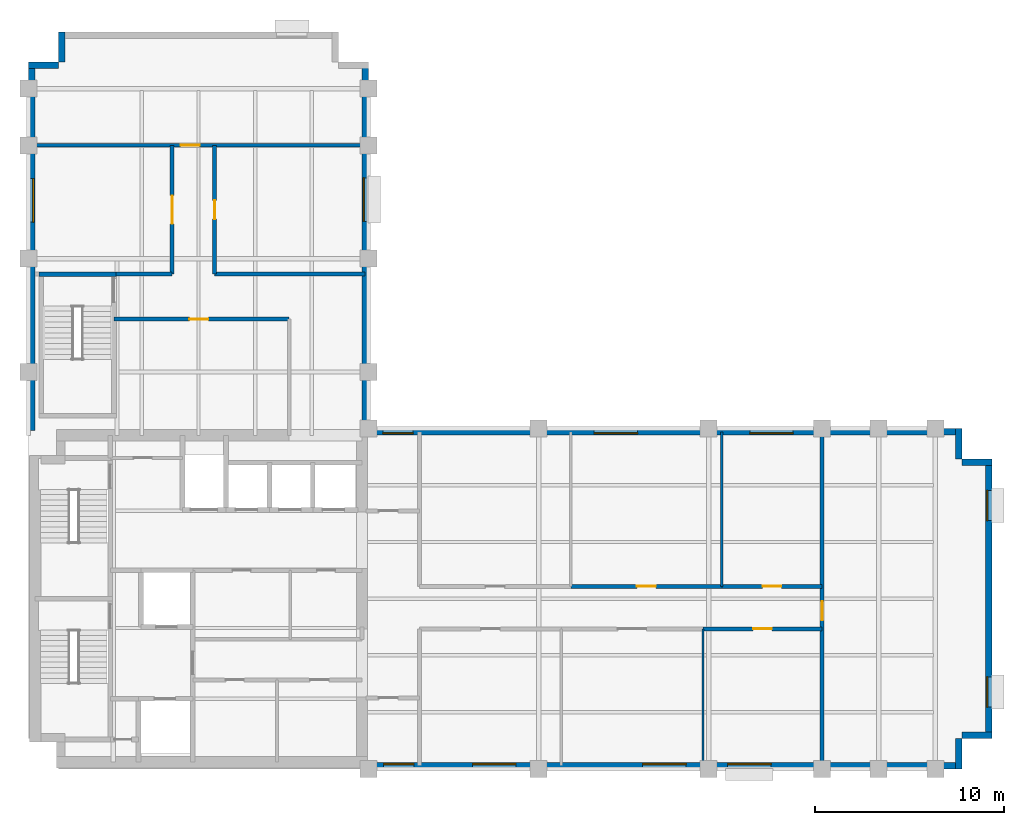
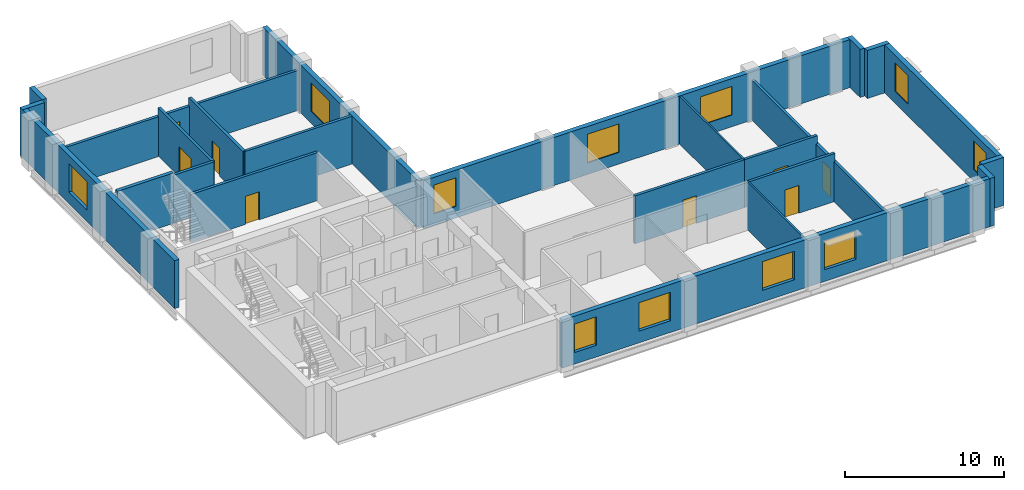
# One storey, part 4 of 6: 24 walls, 11 windows, 8 doors, 19 openings.
"""IFC4 building model written with IfcOpenShell, lengths in metres."""

from ifc_helpers import new_model, si_unit, direction, frame, frame_2d, origin, place, context, subcontext, project, spatial, rectangle, extrude, material, layer, layer_set, type_object, element, fill, save


model = new_model("IFC4")

# Units and contexts
model_context = context("Model", 3, precision=1e-05, world=origin(), true_north=direction((0.0, 1.0)))
body_context = subcontext(model_context, "Body", "Model", "MODEL_VIEW")
ifc_project = project(units=[si_unit("LENGTHUNIT", "METRE"), si_unit("AREAUNIT", "SQUARE_METRE"), si_unit("VOLUMEUNIT", "CUBIC_METRE"), si_unit("PLANEANGLEUNIT", "RADIAN"), si_unit("MASSUNIT", "GRAM", prefix="KILO")], contexts=[model_context])

# Site, building, storey
site_placement = place(None, origin())
site = spatial("IfcSite", under=ifc_project, at=site_placement, CompositionType="ELEMENT")
building_placement = place(site_placement, origin())
building = spatial("IfcBuilding", under=site, at=building_placement, Name="Mawjdan Bourse Tower", CompositionType="ELEMENT")
storey_placement = place(building_placement, frame((0.0, 0.0, 215.10009765625)))
storey = spatial("IfcBuildingStorey", under=building, at=storey_placement, Name="L52", CompositionType="ELEMENT", Elevation=215.10009765625)

# Wall, openings, windows
ifc_material_1 = material(Name="Brick Masonry Buff", Category="masonry")
ifc_layer_1 = layer(ifc_material_1, 0.340087890625)
ifc_layer_set_1 = layer_set([ifc_layer_1], Name="Brick Masonry Buff")
wall_type_1 = type_object("IfcWallType", Name="WL-BRK-SPN-340", PredefinedType="STANDARD", material=ifc_layer_set_1)
wall_1_placement = place(storey_placement, frame((23.89990234375, 3.169921875, 0.0), z_axis=(0.0, 0.0, 1.0), x_axis=(1.0, 0.0, 0.0)))
wall_1 = element("IfcWall", 1, at=wall_1_placement, inside=storey, type_object=wall_type_1, Name="L52 Exterior Brick Wall 1", PredefinedType="STANDARD", context=body_context, shape_type="SweptSolid", body=[
    extrude(rectangle(XDim=31.5, YDim=0.340087890625, at=frame_2d((15.75, 0.0))), origin(), (0.0, 0.0, 1.0), 3.699951171875),
])
opening_1_placement = place(wall_1_placement, frame((5.60009765625, 0.0, 0.89990234375)))
opening_1 = element("IfcOpeningElement", 2, at=opening_1_placement, cuts=wall_1, Name="Opening W-L52-01", PredefinedType="OPENING", context=body_context, shape_type="SweptSolid", body=[
    extrude(rectangle(XDim=2.300048828125, YDim=2.199951171875, at=frame_2d((1.14990234375, 1.10009765625))), frame((0.0, 0.18017578125, 0.0), z_axis=(0.0, -1.0, 0.0), x_axis=(1.0, 0.0, 0.0)), (0.0, 0.0, 1.0), 0.360107421875),
])
opening_2_placement = place(wall_1_placement, frame((14.60009765625, 0.0, 0.89990234375)))
opening_2 = element("IfcOpeningElement", 3, at=opening_2_placement, cuts=wall_1, Name="Opening W-L52-02", PredefinedType="OPENING", context=body_context, shape_type="SweptSolid", body=[
    extrude(rectangle(XDim=2.300048828125, YDim=2.199951171875, at=frame_2d((1.14990234375, 1.10009765625))), frame((0.0, 0.18017578125, 0.0), z_axis=(0.0, -1.0, 0.0), x_axis=(1.0, 0.0, 0.0)), (0.0, 0.0, 1.0), 0.360107421875),
])
opening_3_placement = place(wall_1_placement, frame((19.10009765625, 0.0, 0.89990234375)))
opening_3 = element("IfcOpeningElement", 4, at=opening_3_placement, cuts=wall_1, Name="Opening W-L52-03", PredefinedType="OPENING", context=body_context, shape_type="SweptSolid", body=[
    extrude(rectangle(XDim=2.300048828125, YDim=2.199951171875, at=frame_2d((1.14990234375, 1.10009765625))), frame((0.0, 0.18017578125, 0.0), z_axis=(0.0, -1.0, 0.0), x_axis=(1.0, 0.0, 0.0)), (0.0, 0.0, 1.0), 0.360107421875),
])
opening_4_placement = place(wall_1_placement, frame((0.89990234375, 0.0, 0.89990234375)))
opening_4 = element("IfcOpeningElement", 5, at=opening_4_placement, cuts=wall_1, Name="Opening W-L52-10", PredefinedType="OPENING", context=body_context, shape_type="SweptSolid", body=[
    extrude(rectangle(XDim=1.60009765625, YDim=2.199951171875, at=frame_2d((0.800048828125, 1.10009765625))), frame((0.0, 0.18017578125, 0.0), z_axis=(0.0, -1.0, 0.0), x_axis=(1.0, 0.0, 0.0)), (0.0, 0.0, 1.0), 0.360107421875),
])
ifc_material_2 = material(Name="Solar-Control Clear Double Glazing", Category="glass")
window_type_1 = type_object("IfcWindowType", Name="WN-Z3-1600", PartitioningType="SINGLE_PANEL", PredefinedType="WINDOW", material=ifc_material_2)
window_1_placement = place(opening_4_placement, origin())
window_1 = element("IfcWindow", 6, at=window_1_placement, inside=storey, type_object=window_type_1, Name="L52 Deep-Set Masonry Window W-L52-10", OverallHeight=2.199951171875, OverallWidth=1.60009765625, PartitioningType="SINGLE_PANEL", PredefinedType="WINDOW", context=body_context, shape_type="SweptSolid", body=[
    extrude(rectangle(XDim=1.60009765625, YDim=2.199951171875, at=frame_2d((0.800048828125, 1.10009765625))), frame((0.0, 0.110107421875, 0.0), z_axis=(0.0, -1.0, 0.0), x_axis=(1.0, 0.0, 0.0)), (0.0, 0.0, 1.0), 0.06005859375),
])
fill(opening_4, window_1)
window_type_2 = type_object("IfcWindowType", Name="WN-Z3-2300", PartitioningType="SINGLE_PANEL", PredefinedType="WINDOW", material=ifc_material_2)
window_2_placement = place(opening_1_placement, origin())
window_2 = element("IfcWindow", 7, at=window_2_placement, inside=storey, type_object=window_type_2, Name="L52 Deep-Set Masonry Window W-L52-01", OverallHeight=2.199951171875, OverallWidth=2.300048828125, PartitioningType="SINGLE_PANEL", PredefinedType="WINDOW", context=body_context, shape_type="SweptSolid", body=[
    extrude(rectangle(XDim=2.300048828125, YDim=2.199951171875, at=frame_2d((1.14990234375, 1.10009765625))), frame((0.0, 0.110107421875, 0.0), z_axis=(0.0, -1.0, 0.0), x_axis=(1.0, 0.0, 0.0)), (0.0, 0.0, 1.0), 0.06005859375),
])
fill(opening_1, window_2)
window_3_placement = place(opening_2_placement, origin())
window_3 = element("IfcWindow", 8, at=window_3_placement, inside=storey, type_object=window_type_2, Name="L52 Deep-Set Masonry Window W-L52-02", OverallHeight=2.199951171875, OverallWidth=2.300048828125, PartitioningType="SINGLE_PANEL", PredefinedType="WINDOW", context=body_context, shape_type="SweptSolid", body=[
    extrude(rectangle(XDim=2.300048828125, YDim=2.199951171875, at=frame_2d((1.14990234375, 1.10009765625))), frame((0.0, 0.110107421875, 0.0), z_axis=(0.0, -1.0, 0.0), x_axis=(1.0, 0.0, 0.0)), (0.0, 0.0, 1.0), 0.06005859375),
])
fill(opening_2, window_3)
window_4_placement = place(opening_3_placement, origin())
window_4 = element("IfcWindow", 9, at=window_4_placement, inside=storey, type_object=window_type_2, Name="L52 Deep-Set Masonry Window W-L52-03", OverallHeight=2.199951171875, OverallWidth=2.300048828125, PartitioningType="SINGLE_PANEL", PredefinedType="WINDOW", context=body_context, shape_type="SweptSolid", body=[
    extrude(rectangle(XDim=2.300048828125, YDim=2.199951171875, at=frame_2d((1.14990234375, 1.10009765625))), frame((0.0, 0.110107421875, 0.0), z_axis=(0.0, -1.0, 0.0), x_axis=(1.0, 0.0, 0.0)), (0.0, 0.0, 1.0), 0.06005859375),
])
fill(opening_3, window_4)

# Walls
for number, where, z_axis, x_axis, name in (
    (10, (55.22998046875, 3.0, 0.0), (0.0, 0.0, 1.0), (0.0, 1.0, 0.0), "L52 Exterior Brick Wall 2"),
    (11, (55.39990234375, 4.77001953125, 0.0), (0.0, 0.0, 1.0), (1.0, 0.0, 0.0), "L52 Exterior Brick Wall 3"),
):
    element("IfcWall", number, at=place(storey_placement, frame(where, z_axis=z_axis, x_axis=x_axis)), inside=storey, type_object=wall_type_1, Name=name, PredefinedType="STANDARD", context=body_context, shape_type="SweptSolid", body=[
        extrude(rectangle(XDim=1.60009765625, YDim=0.340087890625, at=frame_2d((0.800048828125, 0.0))), origin(), (0.0, 0.0, 1.0), 3.699951171875),
    ])

# Wall, openings, windows
wall_2_placement = place(storey_placement, frame((56.830078125, 4.60009765625, 0.0), z_axis=(0.0, 0.0, 1.0), x_axis=(0.0, 1.0, 0.0)))
wall_2 = element("IfcWall", 12, at=wall_2_placement, inside=storey, type_object=wall_type_1, Name="L52 Exterior Brick Wall 4", PredefinedType="STANDARD", context=body_context, shape_type="SweptSolid", body=[
    extrude(rectangle(XDim=14.7998046875, YDim=0.340087890625, at=frame_2d((7.39990234375, 0.0))), origin(), (0.0, 0.0, 1.0), 3.699951171875),
])
opening_5_placement = place(wall_2_placement, frame((1.666748046875, 0.0, 0.89990234375)))
opening_5 = element("IfcOpeningElement", 13, at=opening_5_placement, cuts=wall_2, Name="Opening W-L52-04", PredefinedType="OPENING", context=body_context, shape_type="SweptSolid", body=[
    extrude(rectangle(XDim=1.60009765625, YDim=2.199951171875, at=frame_2d((0.800048828125, 1.10009765625))), frame((0.0, 0.18017578125, 0.0), z_axis=(0.0, -1.0, 0.0), x_axis=(1.0, 0.0, 0.0)), (0.0, 0.0, 1.0), 0.360107421875),
])
opening_6_placement = place(wall_2_placement, frame((11.533203125, 0.0, 0.89990234375)))
opening_6 = element("IfcOpeningElement", 14, at=opening_6_placement, cuts=wall_2, Name="Opening W-L52-05", PredefinedType="OPENING", context=body_context, shape_type="SweptSolid", body=[
    extrude(rectangle(XDim=1.60009765625, YDim=2.199951171875, at=frame_2d((0.800048828125, 1.10009765625))), frame((0.0, 0.18017578125, 0.0), z_axis=(0.0, -1.0, 0.0), x_axis=(1.0, 0.0, 0.0)), (0.0, 0.0, 1.0), 0.360107421875),
])
window_5_placement = place(opening_5_placement, origin())
window_5 = element("IfcWindow", 15, at=window_5_placement, inside=storey, type_object=window_type_1, Name="L52 Deep-Set Masonry Window W-L52-04", OverallHeight=2.199951171875, OverallWidth=1.60009765625, PartitioningType="SINGLE_PANEL", PredefinedType="WINDOW", context=body_context, shape_type="SweptSolid", body=[
    extrude(rectangle(XDim=1.60009765625, YDim=2.199951171875, at=frame_2d((0.800048828125, 1.10009765625))), frame((0.0, 0.110107421875, 0.0), z_axis=(0.0, -1.0, 0.0), x_axis=(1.0, 0.0, 0.0)), (0.0, 0.0, 1.0), 0.06005859375),
])
fill(opening_5, window_5)
window_6_placement = place(opening_6_placement, origin())
window_6 = element("IfcWindow", 16, at=window_6_placement, inside=storey, type_object=window_type_1, Name="L52 Deep-Set Masonry Window W-L52-05", OverallHeight=2.199951171875, OverallWidth=1.60009765625, PartitioningType="SINGLE_PANEL", PredefinedType="WINDOW", context=body_context, shape_type="SweptSolid", body=[
    extrude(rectangle(XDim=1.60009765625, YDim=2.199951171875, at=frame_2d((0.800048828125, 1.10009765625))), frame((0.0, 0.110107421875, 0.0), z_axis=(0.0, -1.0, 0.0), x_axis=(1.0, 0.0, 0.0)), (0.0, 0.0, 1.0), 0.06005859375),
])
fill(opening_6, window_6)

# Walls
for number, where, z_axis, x_axis, name in (
    (17, (57.0, 19.22998046875, 0.0), (0.0, 0.0, 1.0), (-1.0, 0.0, 0.0), "L52 Exterior Brick Wall 5"),
    (18, (55.22998046875, 19.39990234375, 0.0), (0.0, 0.0, 1.0), (0.0, 1.0, 0.0), "L52 Exterior Brick Wall 6"),
):
    element("IfcWall", number, at=place(storey_placement, frame(where, z_axis=z_axis, x_axis=x_axis)), inside=storey, type_object=wall_type_1, Name=name, PredefinedType="STANDARD", context=body_context, shape_type="SweptSolid", body=[
        extrude(rectangle(XDim=1.60009765625, YDim=0.340087890625, at=frame_2d((0.800048828125, 0.0))), origin(), (0.0, 0.0, 1.0), 3.699951171875),
    ])

# Wall, openings, windows
wall_3_placement = place(storey_placement, frame((55.39990234375, 20.830078125, 0.0), z_axis=(0.0, 0.0, 1.0), x_axis=(-1.0, 0.0, 0.0)))
wall_3 = element("IfcWall", 19, at=wall_3_placement, inside=storey, type_object=wall_type_1, Name="L52 Exterior Brick Wall 7", PredefinedType="STANDARD", context=body_context, shape_type="SweptSolid", body=[
    extrude(rectangle(XDim=31.39990234375, YDim=0.340087890625, at=frame_2d((15.699951171875, 0.0))), origin(), (0.0, 0.0, 1.0), 3.699951171875),
])
opening_7_placement = place(wall_3_placement, frame((17.166748046875, 0.0, 0.89990234375)))
opening_7 = element("IfcOpeningElement", 20, at=opening_7_placement, cuts=wall_3, Name="Opening W-L52-06", PredefinedType="OPENING", context=body_context, shape_type="SweptSolid", body=[
    extrude(rectangle(XDim=2.300048828125, YDim=2.199951171875, at=frame_2d((1.14990234375, 1.10009765625))), frame((0.0, 0.18017578125, 0.0), z_axis=(0.0, -1.0, 0.0), x_axis=(1.0, 0.0, 0.0)), (0.0, 0.0, 1.0), 0.360107421875),
])
opening_8_placement = place(wall_3_placement, frame((29.0458984375, 0.0, 0.89990234375)))
opening_8 = element("IfcOpeningElement", 21, at=opening_8_placement, cuts=wall_3, Name="Opening W-L52-11", PredefinedType="OPENING", context=body_context, shape_type="SweptSolid", body=[
    extrude(rectangle(XDim=1.60009765625, YDim=2.199951171875, at=frame_2d((0.800048828125, 1.10009765625))), frame((0.0, 0.18017578125, 0.0), z_axis=(0.0, -1.0, 0.0), x_axis=(1.0, 0.0, 0.0)), (0.0, 0.0, 1.0), 0.360107421875),
])
opening_9_placement = place(wall_3_placement, frame((8.9248046875, 0.0, 0.89990234375)))
opening_9 = element("IfcOpeningElement", 22, at=opening_9_placement, cuts=wall_3, Name="Opening W-L52-12", PredefinedType="OPENING", context=body_context, shape_type="SweptSolid", body=[
    extrude(rectangle(XDim=2.300048828125, YDim=2.199951171875, at=frame_2d((1.14990234375, 1.10009765625))), frame((0.0, 0.18017578125, 0.0), z_axis=(0.0, -1.0, 0.0), x_axis=(1.0, 0.0, 0.0)), (0.0, 0.0, 1.0), 0.360107421875),
])
window_7_placement = place(opening_8_placement, origin())
window_7 = element("IfcWindow", 23, at=window_7_placement, inside=storey, type_object=window_type_1, Name="L52 Deep-Set Masonry Window W-L52-11", OverallHeight=2.199951171875, OverallWidth=1.60009765625, PartitioningType="SINGLE_PANEL", PredefinedType="WINDOW", context=body_context, shape_type="SweptSolid", body=[
    extrude(rectangle(XDim=1.60009765625, YDim=2.199951171875, at=frame_2d((0.800048828125, 1.10009765625))), frame((0.0, 0.110107421875, 0.0), z_axis=(0.0, -1.0, 0.0), x_axis=(1.0, 0.0, 0.0)), (0.0, 0.0, 1.0), 0.06005859375),
])
fill(opening_8, window_7)
window_8_placement = place(opening_7_placement, origin())
window_8 = element("IfcWindow", 24, at=window_8_placement, inside=storey, type_object=window_type_2, Name="L52 Deep-Set Masonry Window W-L52-06", OverallHeight=2.199951171875, OverallWidth=2.300048828125, PartitioningType="SINGLE_PANEL", PredefinedType="WINDOW", context=body_context, shape_type="SweptSolid", body=[
    extrude(rectangle(XDim=2.300048828125, YDim=2.199951171875, at=frame_2d((1.14990234375, 1.10009765625))), frame((0.0, 0.110107421875, 0.0), z_axis=(0.0, -1.0, 0.0), x_axis=(1.0, 0.0, 0.0)), (0.0, 0.0, 1.0), 0.06005859375),
])
fill(opening_7, window_8)
window_9_placement = place(opening_9_placement, origin())
window_9 = element("IfcWindow", 25, at=window_9_placement, inside=storey, type_object=window_type_2, Name="L52 Deep-Set Masonry Window W-L52-12", OverallHeight=2.199951171875, OverallWidth=2.300048828125, PartitioningType="SINGLE_PANEL", PredefinedType="WINDOW", context=body_context, shape_type="SweptSolid", body=[
    extrude(rectangle(XDim=2.300048828125, YDim=2.199951171875, at=frame_2d((1.14990234375, 1.10009765625))), frame((0.0, 0.110107421875, 0.0), z_axis=(0.0, -1.0, 0.0), x_axis=(1.0, 0.0, 0.0)), (0.0, 0.0, 1.0), 0.06005859375),
])
fill(opening_9, window_9)

# Wall, opening, window
wall_4_placement = place(storey_placement, frame((23.830078125, 21.0, 0.0), z_axis=(0.0, 0.0, 1.0), x_axis=(0.0, 1.0, 0.0)))
wall_4 = element("IfcWall", 26, at=wall_4_placement, inside=storey, type_object=wall_type_1, Name="L52 Exterior Brick Wall 8", PredefinedType="STANDARD", context=body_context, shape_type="SweptSolid", body=[
    extrude(rectangle(XDim=19.39990234375, YDim=0.340087890625, at=frame_2d((9.699951171875, 0.0))), origin(), (0.0, 0.0, 1.0), 3.699951171875),
])
opening_10_placement = place(wall_4_placement, frame((10.97509765625, 0.0, 0.89990234375)))
opening_10 = element("IfcOpeningElement", 27, at=opening_10_placement, cuts=wall_4, Name="Opening W-L52-07", PredefinedType="OPENING", context=body_context, shape_type="SweptSolid", body=[
    extrude(rectangle(XDim=2.300048828125, YDim=2.199951171875, at=frame_2d((1.14990234375, 1.10009765625))), frame((0.0, 0.18017578125, 0.0), z_axis=(0.0, -1.0, 0.0), x_axis=(1.0, 0.0, 0.0)), (0.0, 0.0, 1.0), 0.360107421875),
])
window_10_placement = place(opening_10_placement, origin())
window_10 = element("IfcWindow", 28, at=window_10_placement, inside=storey, type_object=window_type_2, Name="L52 Deep-Set Masonry Window W-L52-07", OverallHeight=2.199951171875, OverallWidth=2.300048828125, PartitioningType="SINGLE_PANEL", PredefinedType="WINDOW", context=body_context, shape_type="SweptSolid", body=[
    extrude(rectangle(XDim=2.300048828125, YDim=2.199951171875, at=frame_2d((1.14990234375, 1.10009765625))), frame((0.0, 0.110107421875, 0.0), z_axis=(0.0, -1.0, 0.0), x_axis=(1.0, 0.0, 0.0)), (0.0, 0.0, 1.0), 0.06005859375),
])
fill(opening_10, window_10)

# Walls
for number, where, z_axis, x_axis, name in (
    (29, (7.77001953125, 42.0, 0.0), (0.0, 0.0, 1.0), (0.0, -1.0, 0.0), "L52 Exterior Brick Wall 12"),
    (30, (7.60009765625, 40.22998046875, 0.0), (0.0, 0.0, 1.0), (-1.0, 0.0, 0.0), "L52 Exterior Brick Wall 13"),
):
    element("IfcWall", number, at=place(storey_placement, frame(where, z_axis=z_axis, x_axis=x_axis)), inside=storey, type_object=wall_type_1, Name=name, PredefinedType="STANDARD", context=body_context, shape_type="SweptSolid", body=[
        extrude(rectangle(XDim=1.60009765625, YDim=0.340087890625, at=frame_2d((0.800048828125, 0.0))), origin(), (0.0, 0.0, 1.0), 3.699951171875),
    ])

# Wall, opening, window
wall_5_placement = place(storey_placement, frame((6.169921875, 40.39990234375, 0.0), z_axis=(0.0, 0.0, 1.0), x_axis=(0.0, -1.0, 0.0)))
wall_5 = element("IfcWall", 31, at=wall_5_placement, inside=storey, type_object=wall_type_1, Name="L52 Exterior Brick Wall 14", PredefinedType="STANDARD", context=body_context, shape_type="SweptSolid", body=[
    extrude(rectangle(XDim=19.5, YDim=0.340087890625, at=frame_2d((9.75, 0.0))), origin(), (0.0, 0.0, 1.0), 3.699951171875),
])
opening_11_placement = place(wall_5_placement, frame((6.16259765625, 0.0, 0.89990234375)))
opening_11 = element("IfcOpeningElement", 32, at=opening_11_placement, cuts=wall_5, Name="Opening W-L52-09", PredefinedType="OPENING", context=body_context, shape_type="SweptSolid", body=[
    extrude(rectangle(XDim=2.300048828125, YDim=2.199951171875, at=frame_2d((1.14990234375, 1.10009765625))), frame((0.0, 0.18017578125, 0.0), z_axis=(0.0, -1.0, 0.0), x_axis=(1.0, 0.0, 0.0)), (0.0, 0.0, 1.0), 0.360107421875),
])
window_11_placement = place(opening_11_placement, origin())
window_11 = element("IfcWindow", 33, at=window_11_placement, inside=storey, type_object=window_type_2, Name="L52 Deep-Set Masonry Window W-L52-09", OverallHeight=2.199951171875, OverallWidth=2.300048828125, PartitioningType="SINGLE_PANEL", PredefinedType="WINDOW", context=body_context, shape_type="SweptSolid", body=[
    extrude(rectangle(XDim=2.300048828125, YDim=2.199951171875, at=frame_2d((1.14990234375, 1.10009765625))), frame((0.0, 0.110107421875, 0.0), z_axis=(0.0, -1.0, 0.0), x_axis=(1.0, 0.0, 0.0)), (0.0, 0.0, 1.0), 0.06005859375),
])
fill(opening_11, window_11)

# Wall, opening, door
ifc_material_3 = material(Name="Gypsum Fireboard Assembly")
ifc_layer_2 = layer(ifc_material_3, 0.199951171875)
ifc_layer_set_2 = layer_set([ifc_layer_2], Name="Gypsum Fireboard Assembly")
wall_type_2 = type_object("IfcWallType", Name="WL-CMP-200", PredefinedType="PARTITIONING", material=ifc_layer_set_2)
wall_6_placement = place(storey_placement, frame((41.699951171875, 10.39990234375, 0.0), z_axis=(0.0, 0.0, 1.0), x_axis=(1.0, 0.0, 0.0)))
wall_6 = element("IfcWall", 34, at=wall_6_placement, inside=storey, type_object=wall_type_2, Name="L52 Executive Office Corridor Wall", PredefinedType="PARTITIONING", context=body_context, shape_type="SweptSolid", body=[
    extrude(rectangle(XDim=6.300048828125, YDim=0.199951171875, at=frame_2d((3.14990234375, 0.0))), origin(), (0.0, 0.0, 1.0), 3.68994140625),
])
opening_12_placement = place(wall_6_placement, frame((2.64990234375, 0.0, 0.0)))
opening_12 = element("IfcOpeningElement", 35, at=opening_12_placement, cuts=wall_6, Name="Opening D-L52-23", PredefinedType="OPENING", context=body_context, shape_type="SweptSolid", body=[
    extrude(rectangle(XDim=1.0, YDim=2.14990234375, at=frame_2d((0.5, 1.074951171875))), frame((0.0, 0.10986328125, 0.0), z_axis=(0.0, -1.0, 0.0), x_axis=(1.0, 0.0, 0.0)), (0.0, 0.0, 1.0), 0.219970703125),
])
ifc_material_4 = material(Name="Hardwood Acoustic Leaf", Category="wood")
door_type_1 = type_object("IfcDoorType", Name="DR-OFC-1000", OperationType="NOTDEFINED", PredefinedType="DOOR", material=ifc_material_4)
door_1_placement = place(opening_12_placement, origin())
door_1 = element("IfcDoor", 36, at=door_1_placement, inside=storey, type_object=door_type_1, Name="L52 Executive Office Door D-L52-23", OperationType="SINGLE_SWING_RIGHT", OverallHeight=2.14990234375, OverallWidth=1.0, PredefinedType="DOOR", context=body_context, shape_type="SweptSolid", body=[
    extrude(rectangle(XDim=1.0, YDim=2.14990234375, at=frame_2d((0.5, 1.074951171875))), frame((0.0, 0.02490234375, 0.0), z_axis=(0.0, -1.0, 0.0), x_axis=(1.0, 0.0, 0.0)), (0.0, 0.0, 1.0), 0.050048828125),
])
fill(opening_12, door_1)

wall_7_placement = place(storey_placement, frame((34.699951171875, 12.64990234375, 0.0), z_axis=(0.0, 0.0, 1.0), x_axis=(1.0, 0.0, 0.0)))
wall_7 = element("IfcWall", 37, at=wall_7_placement, inside=storey, type_object=wall_type_2, Name="L52 Valuation Office Corridor Wall", PredefinedType="PARTITIONING", context=body_context, shape_type="SweptSolid", body=[
    extrude(rectangle(XDim=8.0, YDim=0.199951171875, at=frame_2d((4.0, 0.0))), origin(), (0.0, 0.0, 1.0), 3.68994140625),
])
opening_13_placement = place(wall_7_placement, frame((3.5, 0.0, 0.0)))
opening_13 = element("IfcOpeningElement", 38, at=opening_13_placement, cuts=wall_7, Name="Opening D-L52-25", PredefinedType="OPENING", context=body_context, shape_type="SweptSolid", body=[
    extrude(rectangle(XDim=1.0, YDim=2.14990234375, at=frame_2d((0.5, 1.074951171875))), frame((0.0, 0.10986328125, 0.0), z_axis=(0.0, -1.0, 0.0), x_axis=(1.0, 0.0, 0.0)), (0.0, 0.0, 1.0), 0.219970703125),
])
door_2_placement = place(opening_13_placement, origin())
door_2 = element("IfcDoor", 39, at=door_2_placement, inside=storey, type_object=door_type_1, Name="L52 Valuation Office Door D-L52-25", OperationType="SINGLE_SWING_RIGHT", OverallHeight=2.14990234375, OverallWidth=1.0, PredefinedType="DOOR", context=body_context, shape_type="SweptSolid", body=[
    extrude(rectangle(XDim=1.0, YDim=2.14990234375, at=frame_2d((0.5, 1.074951171875))), frame((0.0, 0.02490234375, 0.0), z_axis=(0.0, -1.0, 0.0), x_axis=(1.0, 0.0, 0.0)), (0.0, 0.0, 1.0), 0.050048828125),
])
fill(opening_13, door_2)

wall_8_placement = place(storey_placement, frame((42.699951171875, 12.64990234375, 0.0), z_axis=(0.0, 0.0, 1.0), x_axis=(1.0, 0.0, 0.0)))
wall_8 = element("IfcWall", 40, at=wall_8_placement, inside=storey, type_object=wall_type_2, Name="L52 Client Reception Corridor Wall", PredefinedType="PARTITIONING", context=body_context, shape_type="SweptSolid", body=[
    extrude(rectangle(XDim=5.300048828125, YDim=0.199951171875, at=frame_2d((2.64990234375, 0.0))), origin(), (0.0, 0.0, 1.0), 3.68994140625),
])
opening_14_placement = place(wall_8_placement, frame((2.14990234375, 0.0, 0.0)))
opening_14 = element("IfcOpeningElement", 41, at=opening_14_placement, cuts=wall_8, Name="Opening D-L52-26", PredefinedType="OPENING", context=body_context, shape_type="SweptSolid", body=[
    extrude(rectangle(XDim=1.0, YDim=2.14990234375, at=frame_2d((0.5, 1.074951171875))), frame((0.0, 0.10986328125, 0.0), z_axis=(0.0, -1.0, 0.0), x_axis=(1.0, 0.0, 0.0)), (0.0, 0.0, 1.0), 0.219970703125),
])
door_3_placement = place(opening_14_placement, origin())
door_3 = element("IfcDoor", 42, at=door_3_placement, inside=storey, type_object=door_type_1, Name="L52 Client Reception Door D-L52-26", OperationType="SINGLE_SWING_LEFT", OverallHeight=2.14990234375, OverallWidth=1.0, PredefinedType="DOOR", context=body_context, shape_type="SweptSolid", body=[
    extrude(rectangle(XDim=1.0, YDim=2.14990234375, at=frame_2d((0.5, 1.074951171875))), frame((0.0, 0.02490234375, 0.0), z_axis=(0.0, -1.0, 0.0), x_axis=(1.0, 0.0, 0.0)), (0.0, 0.0, 1.0), 0.050048828125),
])
fill(opening_14, door_3)

wall_9_placement = place(storey_placement, frame((48.0, 3.179931640625, 0.0), z_axis=(0.0, 0.0, 1.0), x_axis=(0.0, 1.0, 0.0)))
wall_9 = element("IfcWall", 43, at=wall_9_placement, inside=storey, type_object=wall_type_2, Name="L52 East Tip Full Cross Wall", PredefinedType="PARTITIONING", context=body_context, shape_type="SweptSolid", body=[
    extrude(rectangle(XDim=17.64013671875, YDim=0.199951171875, at=frame_2d((8.820068359375, 0.0))), origin(), (0.0, 0.0, 1.0), 3.072998046875),
])
opening_15_placement = place(wall_9_placement, frame((7.675048828125, 0.0, 0.0)))
opening_15 = element("IfcOpeningElement", 44, at=opening_15_placement, cuts=wall_9, Name="Opening D-L52-27", PredefinedType="OPENING", context=body_context, shape_type="SweptSolid", body=[
    extrude(rectangle(XDim=1.0, YDim=2.14990234375, at=frame_2d((0.5, 1.074951171875))), frame((0.0, 0.10986328125, 0.0), z_axis=(0.0, -1.0, 0.0), x_axis=(1.0, 0.0, 0.0)), (0.0, 0.0, 1.0), 0.219970703125),
])
door_4_placement = place(opening_15_placement, origin())
door_4 = element("IfcDoor", 45, at=door_4_placement, inside=storey, type_object=door_type_1, Name="L52 East Tip Hall Door D-L52-27", OperationType="SINGLE_SWING_RIGHT", OverallHeight=2.14990234375, OverallWidth=1.0, PredefinedType="DOOR", context=body_context, shape_type="SweptSolid", body=[
    extrude(rectangle(XDim=1.0, YDim=2.14990234375, at=frame_2d((0.5, 1.074951171875))), frame((0.0, 0.02490234375, 0.0), z_axis=(0.0, -1.0, 0.0), x_axis=(1.0, 0.0, 0.0)), (0.0, 0.0, 1.0), 0.050048828125),
])
fill(opening_15, door_4)

wall_10_placement = place(storey_placement, frame((10.52001953125, 26.800048828125, 0.0), z_axis=(0.0, 0.0, 1.0), x_axis=(1.0, 0.0, 0.0)))
wall_10 = element("IfcWall", 46, at=wall_10_placement, inside=storey, type_object=wall_type_2, Name="L52 North Throat North Wall", PredefinedType="PARTITIONING", context=body_context, shape_type="SweptSolid", body=[
    extrude(rectangle(XDim=9.280029296875, YDim=0.199951171875, at=frame_2d((4.64013671875, 0.0))), origin(), (0.0, 0.0, 1.0), 3.68994140625),
])
opening_16_placement = place(wall_10_placement, frame((4.0, 0.0, 0.0)))
opening_16 = element("IfcOpeningElement", 47, at=opening_16_placement, cuts=wall_10, Name="Opening D-L52-28", PredefinedType="OPENING", context=body_context, shape_type="SweptSolid", body=[
    extrude(rectangle(XDim=1.0, YDim=2.14990234375, at=frame_2d((0.5, 1.074951171875))), frame((0.0, 0.10986328125, 0.0), z_axis=(0.0, -1.0, 0.0), x_axis=(1.0, 0.0, 0.0)), (0.0, 0.0, 1.0), 0.219970703125),
])
door_5_placement = place(opening_16_placement, origin())
door_5 = element("IfcDoor", 48, at=door_5_placement, inside=storey, type_object=door_type_1, Name="L52 North Throat Suite Door D-L52-28", OperationType="SINGLE_SWING_LEFT", OverallHeight=2.14990234375, OverallWidth=1.0, PredefinedType="DOOR", context=body_context, shape_type="SweptSolid", body=[
    extrude(rectangle(XDim=1.0, YDim=2.14990234375, at=frame_2d((0.5, 1.074951171875))), frame((0.0, 0.02490234375, 0.0), z_axis=(0.0, -1.0, 0.0), x_axis=(1.0, 0.0, 0.0)), (0.0, 0.0, 1.0), 0.050048828125),
])
fill(opening_16, door_5)

# Walls
wall_11_placement = place(storey_placement, frame((10.6298828125, 29.179931640625, 0.0), z_axis=(0.0, 0.0, 1.0), x_axis=(1.0, 0.0, 0.0)))
element("IfcWall", 49, at=wall_11_placement, inside=storey, type_object=wall_type_2, Name="L52 North West Band South Wall", PredefinedType="PARTITIONING", context=body_context, shape_type="SweptSolid", body=[
    extrude(rectangle(XDim=2.97021484375, YDim=0.199951171875, at=frame_2d((1.485107421875, 0.0))), origin(), (0.0, 0.0, 1.0), 3.68994140625),
])
wall_12_placement = place(storey_placement, frame((15.85009765625, 29.179931640625, 0.0), z_axis=(0.0, 0.0, 1.0), x_axis=(1.0, 0.0, 0.0)))
element("IfcWall", 50, at=wall_12_placement, inside=storey, type_object=wall_type_2, Name="L52 North East Band South Wall", PredefinedType="PARTITIONING", context=body_context, shape_type="SweptSolid", body=[
    extrude(rectangle(XDim=7.969970703125, YDim=0.199951171875, at=frame_2d((3.98486328125, 0.0))), origin(), (0.0, 0.0, 1.0), 3.68994140625),
])

# Wall, opening, door
wall_13_placement = place(storey_placement, frame((13.60009765625, 29.179931640625, 0.0), z_axis=(0.0, 0.0, 1.0), x_axis=(0.0, 1.0, 0.0)))
wall_13 = element("IfcWall", 51, at=wall_13_placement, inside=storey, type_object=wall_type_2, Name="L52 Conference Room Corridor Wall", PredefinedType="PARTITIONING", context=body_context, shape_type="SweptSolid", body=[
    extrude(rectangle(XDim=6.820068359375, YDim=0.199951171875, at=frame_2d((3.41015625, 0.0))), origin(), (0.0, 0.0, 1.0), 3.68994140625),
])
opening_17_placement = place(wall_13_placement, frame((2.659912109375, 0.0, 0.0)))
opening_17 = element("IfcOpeningElement", 52, at=opening_17_placement, cuts=wall_13, Name="Opening D-L52-29", PredefinedType="OPENING", context=body_context, shape_type="SweptSolid", body=[
    extrude(rectangle(XDim=1.5, YDim=2.300048828125, at=frame_2d((0.75, 1.14990234375))), frame((0.0, 0.10986328125, 0.0), z_axis=(0.0, -1.0, 0.0), x_axis=(1.0, 0.0, 0.0)), (0.0, 0.0, 1.0), 0.219970703125),
])
ifc_material_5 = material(Name="Acoustic Glazed Timber", Category="wood")
door_type_2 = type_object("IfcDoorType", Name="DR-CNF-1500", OperationType="DOUBLE_DOOR_SINGLE_SWING", PredefinedType="DOOR", material=ifc_material_5)
door_6_placement = place(opening_17_placement, origin())
door_6 = element("IfcDoor", 53, at=door_6_placement, inside=storey, type_object=door_type_2, Name="L52 Conference Room Door D-L52-29", OperationType="DOUBLE_DOOR_SINGLE_SWING", OverallHeight=2.300048828125, OverallWidth=1.5, PredefinedType="DOOR", context=body_context, shape_type="SweptSolid", body=[
    extrude(rectangle(XDim=1.5, YDim=2.300048828125, at=frame_2d((0.75, 1.14990234375))), frame((0.0, 0.02490234375, 0.0), z_axis=(0.0, -1.0, 0.0), x_axis=(1.0, 0.0, 0.0)), (0.0, 0.0, 1.0), 0.050048828125),
])
fill(opening_17, door_6)

wall_14_placement = place(storey_placement, frame((15.85009765625, 29.179931640625, 0.0), z_axis=(0.0, 0.0, 1.0), x_axis=(0.0, 1.0, 0.0)))
wall_14 = element("IfcWall", 54, at=wall_14_placement, inside=storey, type_object=wall_type_2, Name="L52 Valuation Office Corridor Wall", PredefinedType="PARTITIONING", context=body_context, shape_type="SweptSolid", body=[
    extrude(rectangle(XDim=6.820068359375, YDim=0.199951171875, at=frame_2d((3.41015625, 0.0))), origin(), (0.0, 0.0, 1.0), 3.68994140625),
])
opening_18_placement = place(wall_14_placement, frame((2.909912109375, 0.0, 0.0)))
opening_18 = element("IfcOpeningElement", 55, at=opening_18_placement, cuts=wall_14, Name="Opening D-L52-30", PredefinedType="OPENING", context=body_context, shape_type="SweptSolid", body=[
    extrude(rectangle(XDim=1.0, YDim=2.14990234375, at=frame_2d((0.5, 1.074951171875))), frame((0.0, 0.10986328125, 0.0), z_axis=(0.0, -1.0, 0.0), x_axis=(1.0, 0.0, 0.0)), (0.0, 0.0, 1.0), 0.219970703125),
])
door_7_placement = place(opening_18_placement, origin())
door_7 = element("IfcDoor", 56, at=door_7_placement, inside=storey, type_object=door_type_1, Name="L52 Valuation Office Door D-L52-30", OperationType="SINGLE_SWING_RIGHT", OverallHeight=2.14990234375, OverallWidth=1.0, PredefinedType="DOOR", context=body_context, shape_type="SweptSolid", body=[
    extrude(rectangle(XDim=1.0, YDim=2.14990234375, at=frame_2d((0.5, 1.074951171875))), frame((0.0, 0.02490234375, 0.0), z_axis=(0.0, -1.0, 0.0), x_axis=(1.0, 0.0, 0.0)), (0.0, 0.0, 1.0), 0.050048828125),
])
fill(opening_18, door_7)

wall_15_placement = place(storey_placement, frame((6.179931640625, 36.0, 0.0), z_axis=(0.0, 0.0, 1.0), x_axis=(1.0, 0.0, 0.0)))
wall_15 = element("IfcWall", 57, at=wall_15_placement, inside=storey, type_object=wall_type_2, Name="L52 North Tip Full Cross Wall", PredefinedType="PARTITIONING", context=body_context, shape_type="SweptSolid", body=[
    extrude(rectangle(XDim=17.64013671875, YDim=0.199951171875, at=frame_2d((8.820068359375, 0.0))), origin(), (0.0, 0.0, 1.0), 3.072998046875),
])
opening_19_placement = place(wall_15_placement, frame((7.875, 0.0, 0.0)))
opening_19 = element("IfcOpeningElement", 58, at=opening_19_placement, cuts=wall_15, Name="Opening D-L52-31", PredefinedType="OPENING", context=body_context, shape_type="SweptSolid", body=[
    extrude(rectangle(XDim=1.0, YDim=2.14990234375, at=frame_2d((0.5, 1.074951171875))), frame((0.0, 0.10986328125, 0.0), z_axis=(0.0, -1.0, 0.0), x_axis=(1.0, 0.0, 0.0)), (0.0, 0.0, 1.0), 0.219970703125),
])
door_8_placement = place(opening_19_placement, origin())
door_8 = element("IfcDoor", 59, at=door_8_placement, inside=storey, type_object=door_type_1, Name="L52 North Tip Suite Door D-L52-31", OperationType="SINGLE_SWING_LEFT", OverallHeight=2.14990234375, OverallWidth=1.0, PredefinedType="DOOR", context=body_context, shape_type="SweptSolid", body=[
    extrude(rectangle(XDim=1.0, YDim=2.14990234375, at=frame_2d((0.5, 1.074951171875))), frame((0.0, 0.02490234375, 0.0), z_axis=(0.0, -1.0, 0.0), x_axis=(1.0, 0.0, 0.0)), (0.0, 0.0, 1.0), 0.050048828125),
])
fill(opening_19, door_8)

# Walls
ifc_material_6 = material(Name="Gypsum Partition")
ifc_layer_3 = layer(ifc_material_6, 0.125)
ifc_layer_set_3 = layer_set([ifc_layer_3], Name="Gypsum Partition")
wall_type_3 = type_object("IfcWallType", Name="WL-PRT-125", PredefinedType="PARTITIONING", material=ifc_layer_set_3)
wall_16_placement = place(storey_placement, frame((41.699951171875, 3.179931640625, 0.0), z_axis=(0.0, 0.0, 1.0), x_axis=(0.0, 1.0, 0.0)))
element("IfcWall", 60, at=wall_16_placement, inside=storey, type_object=wall_type_3, Name="L52 Executive Office Partition", PredefinedType="PARTITIONING", context=body_context, shape_type="SweptSolid", body=[
    extrude(rectangle(XDim=7.219970703125, YDim=0.125, at=frame_2d((3.60986328125, 0.0))), origin(), (0.0, 0.0, 1.0), 3.68994140625),
])
wall_17_placement = place(storey_placement, frame((42.699951171875, 12.64990234375, 0.0), z_axis=(0.0, 0.0, 1.0), x_axis=(0.0, 1.0, 0.0)))
element("IfcWall", 61, at=wall_17_placement, inside=storey, type_object=wall_type_3, Name="L52 Client Reception Partition", PredefinedType="PARTITIONING", context=body_context, shape_type="SweptSolid", body=[
    extrude(rectangle(XDim=8.170166015625, YDim=0.125, at=frame_2d((4.0849609375, 0.0))), origin(), (0.0, 0.0, 1.0), 3.68994140625),
])
ifc_material_7 = material(Name="Concrete C50/60", Category="concrete")
ifc_layer_4 = layer(ifc_material_7, 0.25)
ifc_layer_set_4 = layer_set([ifc_layer_4], Name="Concrete C50/60")
wall_type_4 = type_object("IfcWallType", Name="WL-STRW-250", PredefinedType="SHEAR", material=ifc_layer_set_4)
wall_18_placement = place(storey_placement, frame((6.554931640625, 29.179931640625, 0.0), z_axis=(0.0, 0.0, 1.0), x_axis=(1.0, 0.0, 0.0)))
element("IfcWall", 62, at=wall_18_placement, inside=storey, type_object=wall_type_4, Name="L52 ST3 North Shaft Wall", PredefinedType="SHEAR", context=body_context, shape_type="SweptSolid", body=[
    extrude(rectangle(XDim=4.090087890625, YDim=0.25, at=frame_2d((2.044921875, 0.0))), origin(), (0.0, 0.0, 1.0), 3.89990234375),
])

save(model, "model.ifc")
